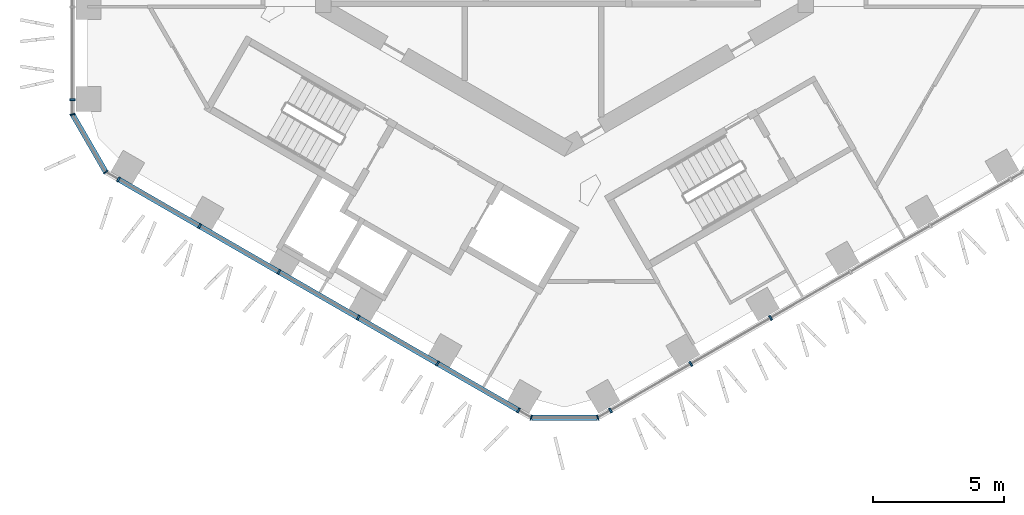
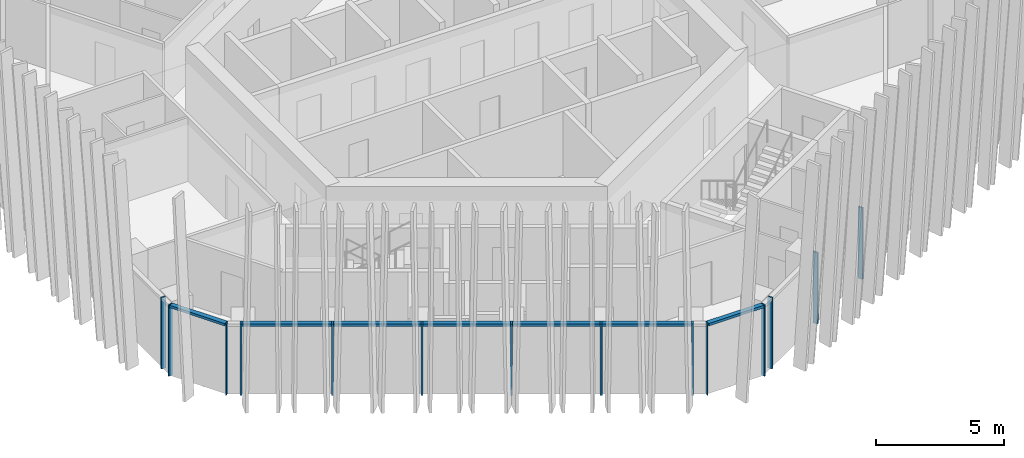
# One storey, part 2 of 21: 17 members, 5 elements without a shape of their own.
"""IFC4 building model written with IfcOpenShell, lengths in metres."""

from ifc_helpers import new_model, si_unit, direction, frame, origin, origin_2d, place, context, subcontext, project, spatial, rectangle, extrude, material, layer, layer_set, material_profile, profile_set, type_object, element, aggregate, save


model = new_model("IFC4")

# Units and contexts
model_context = context("Model", 3, precision=1e-05, world=origin(), true_north=direction((0.0, 1.0)))
body_context = subcontext(model_context, "Body", "Model", "MODEL_VIEW")
ifc_project = project(units=[si_unit("LENGTHUNIT", "METRE"), si_unit("AREAUNIT", "SQUARE_METRE"), si_unit("VOLUMEUNIT", "CUBIC_METRE"), si_unit("PLANEANGLEUNIT", "RADIAN"), si_unit("MASSUNIT", "GRAM", prefix="KILO")], contexts=[model_context])

# Site, building, storey
site_placement = place(None, origin())
site = spatial("IfcSite", under=ifc_project, at=site_placement, CompositionType="ELEMENT")
building_placement = place(site_placement, origin())
building = spatial("IfcBuilding", under=site, at=building_placement, Name="Ayvan Gate Tower", CompositionType="ELEMENT")
storey_placement = place(building_placement, frame((0.0, 0.0, 152.699951171875)))
storey = spatial("IfcBuildingStorey", under=building, at=storey_placement, Name="L40", CompositionType="ELEMENT", Elevation=152.699951171875)

# Curtain wall, member
ifc_material = material(Name="Bronze anodised aluminium", Category="aluminium")
ifc_layer_1 = layer(ifc_material, 0.199951171875)
ifc_layer_set_1 = layer_set([ifc_layer_1], Name="Bronze anodised aluminium")
curtain_wall_type_1 = type_object("IfcCurtainWallType", Name="Stick curtain wall CW-2", PredefinedType="NOTDEFINED", material=ifc_layer_set_1)
curtain_wall_1_placement = place(storey_placement, origin())
curtain_wall_1 = element("IfcCurtainWall", 1, at=curtain_wall_1_placement, inside=storey, type_object=curtain_wall_type_1, Name="Stick curtain wall CW-2 L40", PredefinedType="NOTDEFINED")
ifc_material_profile_1 = material_profile(ifc_material, rectangle(XDim=0.199951171875, YDim=0.070068359375, at=origin_2d()), Name="Stick curtain wall CW-2 mullion 200 x 70")
ifc_profile_set_1 = profile_set([ifc_material_profile_1], Name="Bronze anodised aluminium")
member_type_1 = type_object("IfcMemberType", Name="Stick curtain wall CW-2 mullion 200 x 70", PredefinedType="MULLION", material=ifc_profile_set_1)
member_1_placement = place(storey_placement, frame((-18.761474609375, -8.80859375, 0.0), z_axis=(0.0, 0.0, 1.0), x_axis=(-1.0, 0.0, 0.0)))
member_1 = element("IfcMember", 2, at=member_1_placement, type_object=member_type_1, Name="CW-2 mullion 6", PredefinedType="MULLION", context=body_context, shape_type="SweptSolid", body=[
    extrude(rectangle(XDim=0.199951171875, YDim=0.070068359375, at=origin_2d()), origin(), (0.0, 0.0, 1.0), 3.400146484375),
])
aggregate(curtain_wall_1, [member_1])

# Curtain wall, members
curtain_wall_2_placement = place(storey_placement, origin())
curtain_wall_2 = element("IfcCurtainWall", 3, at=curtain_wall_2_placement, inside=storey, type_object=curtain_wall_type_1, Name="Stick curtain wall CW-2 L40", PredefinedType="NOTDEFINED")
member_2_placement = place(storey_placement, frame((-17.00927734375, -11.84375, 0.0), z_axis=(0.0, 0.0, 1.0), x_axis=(-0.5, -0.866025403784, 0.0)))
member_2 = element("IfcMember", 4, at=member_2_placement, type_object=member_type_1, Name="CW-2 mullion 1", PredefinedType="MULLION", context=body_context, shape_type="SweptSolid", body=[
    extrude(rectangle(XDim=0.199951171875, YDim=0.070068359375, at=origin_2d()), origin(), (0.0, 0.0, 1.0), 3.400146484375),
])
member_3_placement = place(storey_placement, frame((-13.919189453125, -13.627685546875, 0.0), z_axis=(0.0, 0.0, 1.0), x_axis=(-0.5, -0.866025403784, 0.0)))
member_3 = element("IfcMember", 5, at=member_3_placement, type_object=member_type_1, Name="CW-2 mullion 2", PredefinedType="MULLION", context=body_context, shape_type="SweptSolid", body=[
    extrude(rectangle(XDim=0.199951171875, YDim=0.070068359375, at=origin_2d()), origin(), (0.0, 0.0, 1.0), 3.400146484375),
])
member_4_placement = place(storey_placement, frame((-10.893310546875, -15.374755859375, 0.0), z_axis=(0.0, 0.0, 1.0), x_axis=(-0.5, -0.866025403784, 0.0)))
member_4 = element("IfcMember", 6, at=member_4_placement, type_object=member_type_1, Name="CW-2 mullion 3", PredefinedType="MULLION", context=body_context, shape_type="SweptSolid", body=[
    extrude(rectangle(XDim=0.199951171875, YDim=0.070068359375, at=origin_2d()), origin(), (0.0, 0.0, 1.0), 3.400146484375),
])
member_5_placement = place(storey_placement, frame((-7.868408203125, -17.12109375, 0.0), z_axis=(0.0, 0.0, 1.0), x_axis=(-0.5, -0.866025403784, 0.0)))
member_5 = element("IfcMember", 7, at=member_5_placement, type_object=member_type_1, Name="CW-2 mullion 4", PredefinedType="MULLION", context=body_context, shape_type="SweptSolid", body=[
    extrude(rectangle(XDim=0.199951171875, YDim=0.070068359375, at=origin_2d()), origin(), (0.0, 0.0, 1.0), 3.400146484375),
])
member_6_placement = place(storey_placement, frame((-4.842529296875, -18.8681640625, 0.0), z_axis=(0.0, 0.0, 1.0), x_axis=(-0.5, -0.866025403784, 0.0)))
member_6 = element("IfcMember", 8, at=member_6_placement, type_object=member_type_1, Name="CW-2 mullion 5", PredefinedType="MULLION", context=body_context, shape_type="SweptSolid", body=[
    extrude(rectangle(XDim=0.199951171875, YDim=0.070068359375, at=origin_2d()), origin(), (0.0, 0.0, 1.0), 3.400146484375),
])
member_7_placement = place(storey_placement, frame((-1.752197265625, -20.65234375, 0.0), z_axis=(0.0, 0.0, 1.0), x_axis=(-0.5, -0.866025403784, 0.0)))
member_7 = element("IfcMember", 9, at=member_7_placement, type_object=member_type_1, Name="CW-2 mullion 6", PredefinedType="MULLION", context=body_context, shape_type="SweptSolid", body=[
    extrude(rectangle(XDim=0.199951171875, YDim=0.070068359375, at=origin_2d()), origin(), (0.0, 0.0, 1.0), 3.400146484375),
])

curtain_wall_3_placement = place(storey_placement, origin())
curtain_wall_3 = element("IfcCurtainWall", 10, at=curtain_wall_3_placement, inside=storey, type_object=curtain_wall_type_1, Name="Stick curtain wall CW-2 L40", PredefinedType="NOTDEFINED")
member_8_placement = place(storey_placement, frame((1.752197265625, -20.65234375, 0.0), z_axis=(0.0, 0.0, 1.0), x_axis=(0.5, -0.866025403784, 0.0)))
member_8 = element("IfcMember", 11, at=member_8_placement, type_object=member_type_1, Name="CW-2 mullion 1", PredefinedType="MULLION", context=body_context, shape_type="SweptSolid", body=[
    extrude(rectangle(XDim=0.199951171875, YDim=0.070068359375, at=origin_2d()), origin(), (0.0, 0.0, 1.0), 3.400146484375),
])
member_9_placement = place(storey_placement, frame((4.816162109375, -18.88330078125, 0.0), z_axis=(0.0, 0.0, 1.0), x_axis=(0.5, -0.866025403784, 0.0)))
member_9 = element("IfcMember", 12, at=member_9_placement, type_object=member_type_1, Name="CW-2 mullion 2", PredefinedType="MULLION", context=body_context, shape_type="SweptSolid", body=[
    extrude(rectangle(XDim=0.199951171875, YDim=0.070068359375, at=origin_2d()), origin(), (0.0, 0.0, 1.0), 3.400146484375),
])
member_10_placement = place(storey_placement, frame((7.859375, -17.126220703125, 0.0), z_axis=(0.0, 0.0, 1.0), x_axis=(0.5, -0.866025403784, 0.0)))
member_10 = element("IfcMember", 13, at=member_10_placement, type_object=member_type_1, Name="CW-2 mullion 3", PredefinedType="MULLION", context=body_context, shape_type="SweptSolid", body=[
    extrude(rectangle(XDim=0.199951171875, YDim=0.070068359375, at=origin_2d()), origin(), (0.0, 0.0, 1.0), 3.400146484375),
])
aggregate(curtain_wall_3, [member_8, member_9, member_10])

# Member
ifc_material_profile_2 = material_profile(ifc_material, rectangle(XDim=0.199951171875, YDim=0.1201171875, at=origin_2d()), Name="Stick curtain wall CW-2 transom 200 x 120")
ifc_profile_set_2 = profile_set([ifc_material_profile_2], Name="Bronze anodised aluminium")
member_type_2 = type_object("IfcMemberType", Name="Stick curtain wall CW-2 transom 200 x 120", PredefinedType="USERDEFINED", material=ifc_profile_set_2)
member_11_placement = place(storey_placement, frame((-17.00927734375, -11.84375, 3.340087890625), z_axis=(0.866027506252, -0.499996358401, 0.0), x_axis=(0.499996358401, 0.866027506252, 0.0)))
member_11 = element("IfcMember", 14, at=member_11_placement, type_object=member_type_2, Name="CW-2 transom 1", ObjectType="TRANSOM", PredefinedType="USERDEFINED", context=body_context, shape_type="SweptSolid", body=[
    extrude(rectangle(XDim=0.199951171875, YDim=0.1201171875, at=origin_2d()), origin(), (0.0, 0.0, 1.0), 17.617431640625),
])

aggregate(curtain_wall_2, [member_2, member_3, member_4, member_5, member_6, member_7, member_11])

# Curtain wall, members
ifc_layer_2 = layer(ifc_material, 0.199951171875)
ifc_layer_set_2 = layer_set([ifc_layer_2], Name="Bronze anodised aluminium")
curtain_wall_type_2 = type_object("IfcCurtainWallType", Name="Stick curtain wall CW-6", PredefinedType="NOTDEFINED", material=ifc_layer_set_2)
curtain_wall_4_placement = place(storey_placement, origin())
curtain_wall_4 = element("IfcCurtainWall", 15, at=curtain_wall_4_placement, inside=storey, type_object=curtain_wall_type_2, Name="Stick curtain wall CW-6 L40", PredefinedType="NOTDEFINED")
ifc_material_profile_3 = material_profile(ifc_material, rectangle(XDim=0.199951171875, YDim=0.050048828125, at=origin_2d()), Name="Stick curtain wall CW-6 mullion 200 x 50")
ifc_profile_set_3 = profile_set([ifc_material_profile_3], Name="Bronze anodised aluminium")
member_type_3 = type_object("IfcMemberType", Name="Stick curtain wall CW-6 mullion 200 x 50", PredefinedType="MULLION", material=ifc_profile_set_3)
member_12_placement = place(storey_placement, frame((-18.761474609375, -9.36865234375, 0.0), z_axis=(0.0, 0.0, 1.0), x_axis=(-0.965925826289, -0.258819045103, 0.0)))
member_12 = element("IfcMember", 16, at=member_12_placement, type_object=member_type_3, Name="CW-6 mullion 2", PredefinedType="MULLION", context=body_context, shape_type="SweptSolid", body=[
    extrude(rectangle(XDim=0.199951171875, YDim=0.050048828125, at=origin_2d()), origin(), (0.0, 0.0, 1.0), 3.400146484375),
])
member_13_placement = place(storey_placement, frame((-17.494140625, -11.563720703125, 0.0), z_axis=(0.0, 0.0, 1.0), x_axis=(-0.707106781187, -0.707106781187, 0.0)))
member_13 = element("IfcMember", 17, at=member_13_placement, type_object=member_type_3, Name="CW-6 mullion 3", PredefinedType="MULLION", context=body_context, shape_type="SweptSolid", body=[
    extrude(rectangle(XDim=0.199951171875, YDim=0.050048828125, at=origin_2d()), origin(), (0.0, 0.0, 1.0), 3.400146484375),
])

curtain_wall_5_placement = place(storey_placement, origin())
curtain_wall_5 = element("IfcCurtainWall", 18, at=curtain_wall_5_placement, inside=storey, type_object=curtain_wall_type_2, Name="Stick curtain wall CW-6 L40", PredefinedType="NOTDEFINED")
member_14_placement = place(storey_placement, frame((-1.267333984375, -20.932373046875, 0.0), z_axis=(0.0, 0.0, 1.0), x_axis=(-0.258819045103, -0.965925826289, 0.0)))
member_14 = element("IfcMember", 19, at=member_14_placement, type_object=member_type_3, Name="CW-6 mullion 2", PredefinedType="MULLION", context=body_context, shape_type="SweptSolid", body=[
    extrude(rectangle(XDim=0.199951171875, YDim=0.050048828125, at=origin_2d()), origin(), (0.0, 0.0, 1.0), 3.400146484375),
])
member_15_placement = place(storey_placement, frame((1.267333984375, -20.932373046875, 0.0), z_axis=(0.0, 0.0, 1.0), x_axis=(0.258819045103, -0.965925826289, 0.0)))
member_15 = element("IfcMember", 20, at=member_15_placement, type_object=member_type_3, Name="CW-6 mullion 3", PredefinedType="MULLION", context=body_context, shape_type="SweptSolid", body=[
    extrude(rectangle(XDim=0.199951171875, YDim=0.050048828125, at=origin_2d()), origin(), (0.0, 0.0, 1.0), 3.400146484375),
])

# Member
ifc_material_profile_4 = material_profile(ifc_material, rectangle(XDim=0.199951171875, YDim=0.1201171875, at=origin_2d()), Name="Stick curtain wall CW-6 transom 200 x 120")
ifc_profile_set_4 = profile_set([ifc_material_profile_4], Name="Bronze anodised aluminium")
member_type_4 = type_object("IfcMemberType", Name="Stick curtain wall CW-6 transom 200 x 120", PredefinedType="USERDEFINED", material=ifc_profile_set_4)
member_16_placement = place(storey_placement, frame((-18.7490234375, -9.390380859375, 3.340087890625), z_axis=(0.499986149909, -0.86603339999, 0.0), x_axis=(0.86603339999, 0.499986149909, 0.0)))
member_16 = element("IfcMember", 21, at=member_16_placement, type_object=member_type_4, Name="CW-6 transom 2", ObjectType="TRANSOM", PredefinedType="USERDEFINED", context=body_context, shape_type="SweptSolid", body=[
    extrude(rectangle(XDim=0.199951171875, YDim=0.1201171875, at=origin_2d()), origin(), (0.0, 0.0, 1.0), 2.484375),
])

aggregate(curtain_wall_4, [member_12, member_13, member_16])

member_17_placement = place(storey_placement, frame((-1.2421875, -20.932373046875, 3.340087890625), z_axis=(1.0, 0.0, 0.0), x_axis=(0.0, 1.0, 0.0)))
member_17 = element("IfcMember", 22, at=member_17_placement, type_object=member_type_4, Name="CW-6 transom 2", ObjectType="TRANSOM", PredefinedType="USERDEFINED", context=body_context, shape_type="SweptSolid", body=[
    extrude(rectangle(XDim=0.199951171875, YDim=0.1201171875, at=origin_2d()), origin(), (0.0, 0.0, 1.0), 2.484375),
])

aggregate(curtain_wall_5, [member_14, member_15, member_17])

save(model, "model.ifc")
